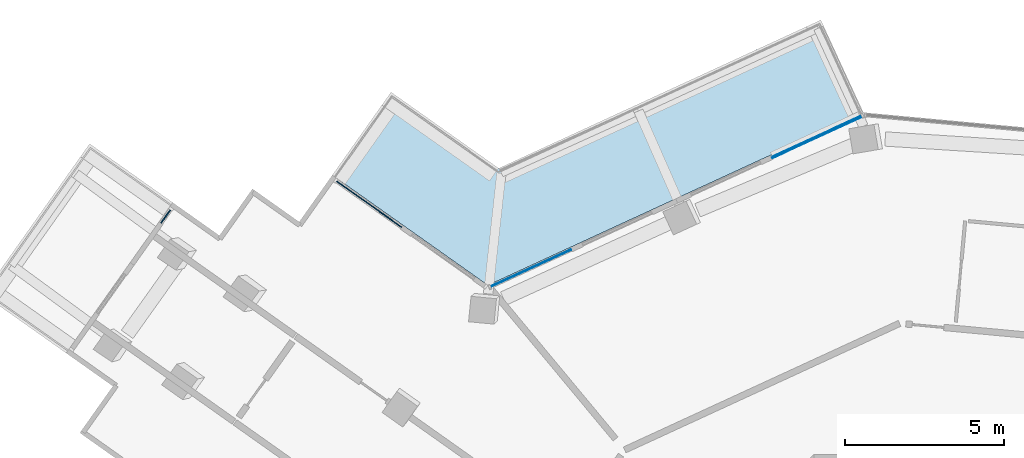
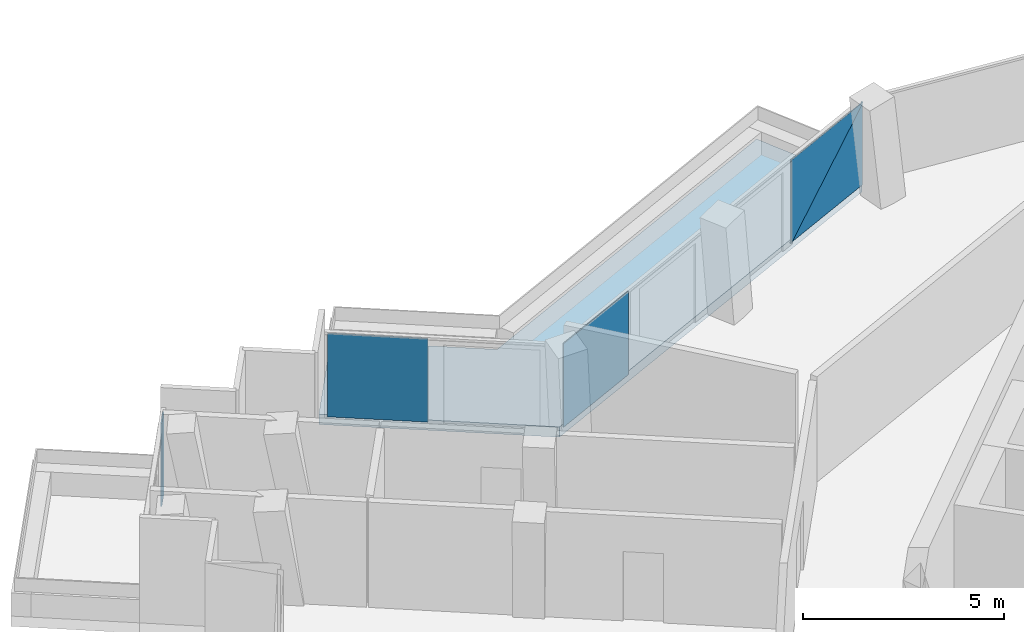
# One storey, part 13 of 23: 5 plates, 1 slab, 3 elements without a shape of their own.
"""IFC4 building model written with IfcOpenShell, lengths in metres."""

from ifc_helpers import new_model, si_unit, direction, frame, origin, origin_2d, place, context, subcontext, project, spatial, polyline, rectangle, outline, extrude, material, layer, layer_set, type_object, element, aggregate, save


model = new_model("IFC4")

# Units and contexts
model_context = context("Model", 3, precision=1e-05, world=origin(), true_north=direction((0.0, 1.0)))
body_context = subcontext(model_context, "Body", "Model", "MODEL_VIEW")
ifc_project = project(units=[si_unit("LENGTHUNIT", "METRE"), si_unit("AREAUNIT", "SQUARE_METRE"), si_unit("VOLUMEUNIT", "CUBIC_METRE"), si_unit("PLANEANGLEUNIT", "RADIAN"), si_unit("MASSUNIT", "GRAM", prefix="KILO")], contexts=[model_context])

# Site, building, storey
site_placement = place(None, origin())
site = spatial("IfcSite", under=ifc_project, at=site_placement, CompositionType="ELEMENT")
building_placement = place(site_placement, origin())
building = spatial("IfcBuilding", under=site, at=building_placement, Name="Verdalira Terraces Hotel", CompositionType="ELEMENT")
storey_placement = place(building_placement, frame((0.0, 0.0, 256.0)))
storey = spatial("IfcBuildingStorey", under=building, at=storey_placement, Name="L63", CompositionType="ELEMENT", Elevation=256.0)

# Slab
ifc_material_1 = material(Name="Precast concrete C40/50", Category="concrete")
ifc_layer_1 = layer(ifc_material_1, 0.31005859375)
ifc_layer_set_1 = layer_set([ifc_layer_1], Name="Balcony deck 310")
slab_type = type_object("IfcSlabType", Name="Balcony deck 310", PredefinedType="FLOOR", material=ifc_layer_set_1)
slab_placement = place(storey_placement, frame((0.0, 0.0, -0.310059)))
element("IfcSlab", 1, at=slab_placement, inside=storey, type_object=slab_type, Name="Balcony deck", PredefinedType="FLOOR", context=body_context, shape_type="SweptSolid", body=[
    extrude(outline(polyline([(-15.70874, 22.996582), (-19.095215, 25.392334), (-20.943359, 22.780029), (-16.048828, 19.317139), (-4.23999, 24.753662), (-5.578369, 27.6604), (-15.70874, 22.996582)])), origin(), (0.0, 0.0, 1.0), 0.310059),
])

# Curtain wall, plates
ifc_material_2 = material(Name="Clear glass", Category="glass")
ifc_layer_2 = layer(ifc_material_2, 0.14990234375)
ifc_layer_set_2 = layer_set([ifc_layer_2], Name="CW1 curtain wall")
curtain_wall_type_1 = type_object("IfcCurtainWallType", Name="CW1 curtain wall", PredefinedType="NOTDEFINED", material=ifc_layer_set_2)
curtain_wall_1_placement = place(storey_placement, origin())
curtain_wall_1 = element("IfcCurtainWall", 2, at=curtain_wall_1_placement, inside=storey, type_object=curtain_wall_type_1, Name="CW1 curtain wall L63 edge 41", PredefinedType="NOTDEFINED")
ifc_material_3 = material(Name="Clear glass", Category="glass")
ifc_layer_3 = layer(ifc_material_3, 0.028076171875)
ifc_layer_set_3 = layer_set([ifc_layer_3], Name="CW1 glass unit 28")
plate_type_1 = type_object("IfcPlateType", Name="CW1 glass unit 28", PredefinedType="CURTAIN_PANEL", material=ifc_layer_set_3)
plate_1_placement = place(storey_placement, frame((-5.70166, 23.982666, 1.262451), z_axis=(-0.418184178, 0.908362259, 0.0), x_axis=(-0.908362259, -0.418184178, 0.0)))
plate_1 = element("IfcPlate", 3, at=plate_1_placement, type_object=plate_type_1, Name="CW1 glass unit", PredefinedType="CURTAIN_PANEL", context=body_context, shape_type="SweptSolid", body=[
    extrude(outline(polyline([(-1.549805, -1.262451), (1.549805, -1.262451), (-1.549805, 1.262451), (-1.549805, -1.262451)])), origin(), (0.0, 0.0, 1.0), 0.028076),
])
plate_2_placement = place(storey_placement, frame((-5.689453, 23.956299, 1.262451), z_axis=(-0.418184178, 0.908362259, 0.0), x_axis=(-0.908362259, -0.418184178, 0.0)))
plate_2 = element("IfcPlate", 4, at=plate_2_placement, type_object=plate_type_1, Name="CW1 glass unit", PredefinedType="CURTAIN_PANEL", context=body_context, shape_type="SweptSolid", body=[
    extrude(outline(polyline([(1.549805, -1.262451), (1.549805, 1.262451), (-1.549805, 1.262451), (1.549805, -1.262451)])), origin(), (0.0, 0.0, 1.0), 0.028076),
])
plate_3_placement = place(storey_placement, frame((-14.700928, 19.855225, 0.0), z_axis=(0.0, 0.0, 1.0), x_axis=(-0.908362259, -0.418184178, 0.0)))
plate_3 = element("IfcPlate", 5, at=plate_3_placement, type_object=plate_type_1, Name="CW1 glass unit", PredefinedType="CURTAIN_PANEL", context=body_context, shape_type="SweptSolid", body=[
    extrude(rectangle(XDim=2.778809, YDim=0.028076, at=origin_2d()), origin(), (0.0, 0.0, 1.0), 2.524902),
])
aggregate(curtain_wall_1, [plate_1, plate_2, plate_3])

# Curtain wall, plate
ifc_material_4 = material(Name="Clear glass", Category="glass")
ifc_layer_4 = layer(ifc_material_4, 0.14990234375)
ifc_layer_set_4 = layer_set([ifc_layer_4], Name="CW2 curtain wall")
curtain_wall_type_2 = type_object("IfcCurtainWallType", Name="CW2 curtain wall", PredefinedType="NOTDEFINED", material=ifc_layer_set_4)
curtain_wall_2_placement = place(storey_placement, origin())
curtain_wall_2 = element("IfcCurtainWall", 6, at=curtain_wall_2_placement, inside=storey, type_object=curtain_wall_type_2, Name="CW2 curtain wall L63 edge 0", PredefinedType="NOTDEFINED")
ifc_material_5 = material(Name="Clear glass", Category="glass")
ifc_layer_5 = layer(ifc_material_5, 0.031982421875)
ifc_layer_set_5 = layer_set([ifc_layer_5], Name="CW2 glass unit 32")
plate_type_2 = type_object("IfcPlateType", Name="CW2 glass unit 32", PredefinedType="CURTAIN_PANEL", material=ifc_layer_set_5)
plate_4_placement = place(storey_placement, frame((-19.784424, 21.868164, 0.0), z_axis=(0.0, 0.0, 1.0), x_axis=(-0.816339251, 0.577572703, 0.0)))
plate_4 = element("IfcPlate", 7, at=plate_4_placement, type_object=plate_type_2, Name="CW2 glass unit", PredefinedType="CURTAIN_PANEL", context=body_context, shape_type="SweptSolid", body=[
    extrude(rectangle(XDim=2.505859, YDim=0.031982, at=origin_2d()), origin(), (0.0, 0.0, 1.0), 2.524902),
])
aggregate(curtain_wall_2, [plate_4])

ifc_material_6 = material(Name="Clear glass", Category="glass")
ifc_layer_6 = layer(ifc_material_6, 0.14990234375)
ifc_layer_set_6 = layer_set([ifc_layer_6], Name="CW3 curtain wall")
curtain_wall_type_3 = type_object("IfcCurtainWallType", Name="CW3 curtain wall", PredefinedType="NOTDEFINED", material=ifc_layer_set_6)
curtain_wall_3_placement = place(storey_placement, origin())
curtain_wall_3 = element("IfcCurtainWall", 8, at=curtain_wall_3_placement, inside=storey, type_object=curtain_wall_type_3, Name="CW3 curtain wall L63 edge 5", PredefinedType="NOTDEFINED")
ifc_material_7 = material(Name="Clear glass", Category="glass")
ifc_layer_7 = layer(ifc_material_7, 0.035888671875)
ifc_layer_set_7 = layer_set([ifc_layer_7], Name="CW3 glass unit 36")
plate_type_3 = type_object("IfcPlateType", Name="CW3 glass unit 36", PredefinedType="CURTAIN_PANEL", material=ifc_layer_set_7)
plate_5_placement = place(storey_placement, frame((-26.18042, 21.481445, 0.0), z_axis=(0.0, 0.0, 1.0), x_axis=(-0.577572703, -0.816339251, 0.0)))
plate_5 = element("IfcPlate", 9, at=plate_5_placement, type_object=plate_type_3, Name="CW3 glass unit", PredefinedType="CURTAIN_PANEL", context=body_context, shape_type="SweptSolid", body=[
    extrude(rectangle(XDim=0.51001, YDim=0.035889, at=origin_2d()), origin(), (0.0, 0.0, 1.0), 2.524902),
])
aggregate(curtain_wall_3, [plate_5])

save(model, "model.ifc")
